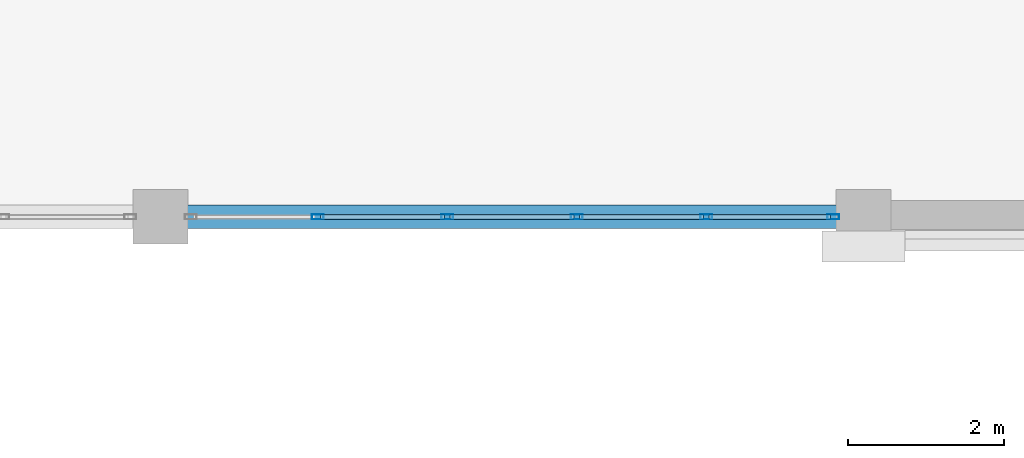
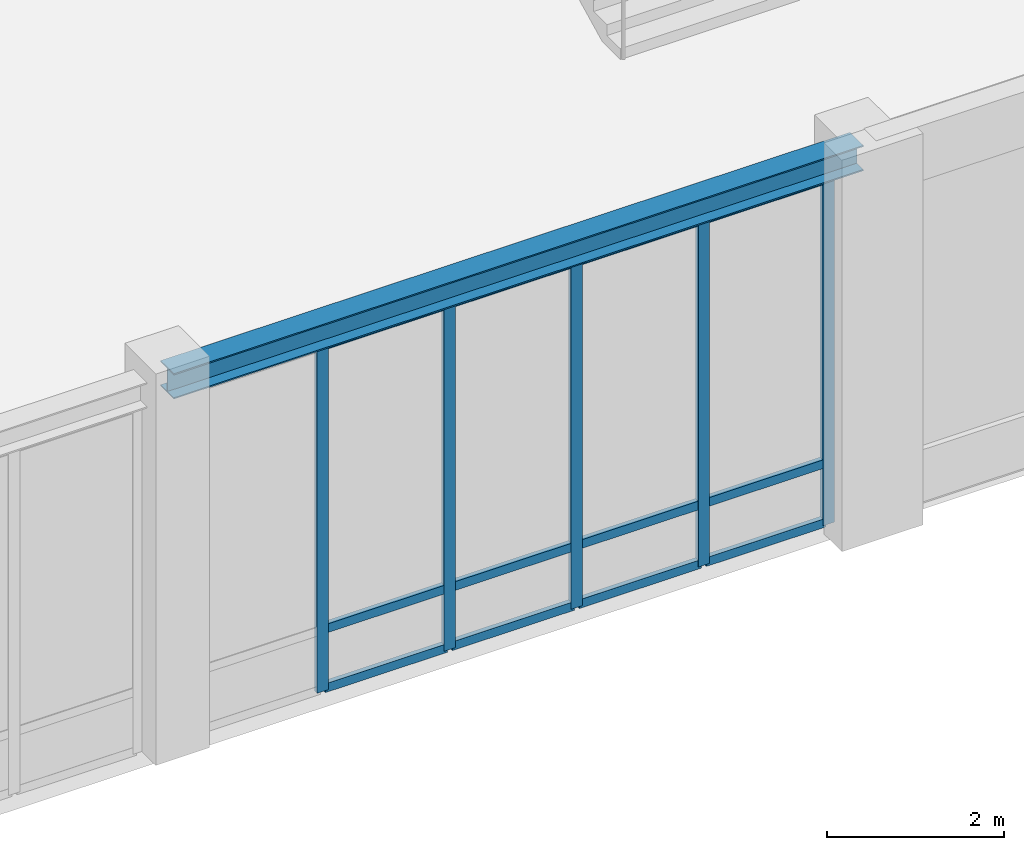
# One storey, part 39 of 77: 17 members, 1 beam, 1 element without a shape of its own.
"""IFC4 building model written with IfcOpenShell, lengths in metres."""

from ifc_helpers import new_model, si_unit, direction, frame, origin, origin_2d, place, context, subcontext, project, spatial, hollow_rectangle, i_section, extrude, material, material_profile, profile_set, type_object, element, aggregate, save


model = new_model("IFC4")

# Units and contexts
model_context = context("Model", 3, precision=1e-05, world=origin(), true_north=direction((0.0, 1.0)))
body_context = subcontext(model_context, "Body", "Model", "MODEL_VIEW")
ifc_project = project(units=[si_unit("LENGTHUNIT", "METRE"), si_unit("AREAUNIT", "SQUARE_METRE"), si_unit("VOLUMEUNIT", "CUBIC_METRE"), si_unit("PLANEANGLEUNIT", "RADIAN"), si_unit("MASSUNIT", "GRAM", prefix="KILO")], contexts=[model_context])

# Site, building, storey
site_placement = place(None, origin())
site = spatial("IfcSite", under=ifc_project, at=site_placement, CompositionType="ELEMENT")
building_placement = place(site_placement, origin())
building = spatial("IfcBuilding", under=site, at=building_placement, Name="Lykobir Media Centre", CompositionType="ELEMENT")
storey_placement = place(building_placement, origin())
storey = spatial("IfcBuildingStorey", under=building, at=storey_placement, Name="L00", CompositionType="ELEMENT", Elevation=0.0)

# Curtain wall, members
ifc_material_1 = material(Name="Anodized Aluminium AW-6060", Category="aluminium")
curtain_wall_type = type_object("IfcCurtainWallType", Name="CW-COURT-A", PredefinedType="NOTDEFINED", material=ifc_material_1)
curtain_wall_placement = place(storey_placement, origin())
curtain_wall = element("IfcCurtainWall", 1, at=curtain_wall_placement, inside=storey, type_object=curtain_wall_type, Name="Curtain wall CW2-L00-0022", PredefinedType="NOTDEFINED")
ifc_material_profile_1 = material_profile(ifc_material_1, hollow_rectangle(XDim=0.06494140625, YDim=0.14990234375, WallThickness=0.00341796875, at=origin_2d()), Name="ALU MULLION 65x150")
ifc_profile_set_1 = profile_set([ifc_material_profile_1], Name="Anodized Aluminium AW-6060")
member_type_1 = type_object("IfcMemberType", Name="CWM-150", PredefinedType="MULLION", material=ifc_profile_set_1)
member_1_placement = place(storey_placement, frame((71.612548828125, 63.0, 0.0), z_axis=(0.0, 0.0, 1.0), x_axis=(0.0, -1.0, 0.0)))
member_1 = element("IfcMember", 2, at=member_1_placement, type_object=member_type_1, Name="CW2-L00-0022 mullion 1", PredefinedType="MULLION", context=body_context, shape_type="SweptSolid", body=[
    extrude(hollow_rectangle(XDim=0.06494140625, YDim=0.14990234375, WallThickness=0.00341796875, at=origin_2d()), origin(), (0.0, 0.0, 1.0), 4.794921875),
])
member_2_placement = place(storey_placement, frame((69.987060546875, 63.0, 0.0), z_axis=(0.0, 0.0, 1.0), x_axis=(0.0, -1.0, 0.0)))
member_2 = element("IfcMember", 3, at=member_2_placement, type_object=member_type_1, Name="CW2-L00-0022 mullion 2", PredefinedType="MULLION", context=body_context, shape_type="SweptSolid", body=[
    extrude(hollow_rectangle(XDim=0.06494140625, YDim=0.14990234375, WallThickness=0.00341796875, at=origin_2d()), origin(), (0.0, 0.0, 1.0), 4.794921875),
])
member_3_placement = place(storey_placement, frame((68.3291015625, 63.0, 0.0), z_axis=(0.0, 0.0, 1.0), x_axis=(0.0, -1.0, 0.0)))
member_3 = element("IfcMember", 4, at=member_3_placement, type_object=member_type_1, Name="CW2-L00-0022 mullion 3", PredefinedType="MULLION", context=body_context, shape_type="SweptSolid", body=[
    extrude(hollow_rectangle(XDim=0.06494140625, YDim=0.14990234375, WallThickness=0.00341796875, at=origin_2d()), origin(), (0.0, 0.0, 1.0), 4.794921875),
])
member_4_placement = place(storey_placement, frame((66.6708984375, 63.0, 0.0), z_axis=(0.0, 0.0, 1.0), x_axis=(0.0, -1.0, 0.0)))
member_4 = element("IfcMember", 5, at=member_4_placement, type_object=member_type_1, Name="CW2-L00-0022 mullion 4", PredefinedType="MULLION", context=body_context, shape_type="SweptSolid", body=[
    extrude(hollow_rectangle(XDim=0.06494140625, YDim=0.14990234375, WallThickness=0.00341796875, at=origin_2d()), origin(), (0.0, 0.0, 1.0), 4.794921875),
])
member_5_placement = place(storey_placement, frame((65.012939453125, 63.0, 0.0), z_axis=(0.0, 0.0, 1.0), x_axis=(0.0, -1.0, 0.0)))
member_5 = element("IfcMember", 6, at=member_5_placement, type_object=member_type_1, Name="CW2-L00-0022 mullion 5", PredefinedType="MULLION", context=body_context, shape_type="SweptSolid", body=[
    extrude(hollow_rectangle(XDim=0.06494140625, YDim=0.14990234375, WallThickness=0.00341796875, at=origin_2d()), origin(), (0.0, 0.0, 1.0), 4.794921875),
])
ifc_material_profile_2 = material_profile(ifc_material_1, hollow_rectangle(XDim=0.06494140625, YDim=0.1201171875, WallThickness=0.0029296875, at=origin_2d()), Name="ALU TRANSOM 65x120")
ifc_profile_set_2 = profile_set([ifc_material_profile_2], Name="Anodized Aluminium AW-6060")
member_type_2 = type_object("IfcMemberType", Name="CWT-120", PredefinedType="USERDEFINED", material=ifc_profile_set_2)
member_6_placement = place(storey_placement, frame((71.580078125, 63.0, 0.032470703125), z_axis=(-1.0, 0.0, 0.0), x_axis=(0.0, -1.0, 0.0)))
member_6 = element("IfcMember", 7, at=member_6_placement, type_object=member_type_2, Name="CW2-L00-0022 transom 1.1", ObjectType="TRANSOM", PredefinedType="USERDEFINED", context=body_context, shape_type="SweptSolid", body=[
    extrude(hollow_rectangle(XDim=0.06494140625, YDim=0.1201171875, WallThickness=0.0029296875, at=origin_2d()), origin(), (0.0, 0.0, 1.0), 1.560546875),
])
member_7_placement = place(storey_placement, frame((71.580078125, 63.0, 0.85009765625), z_axis=(-1.0, 0.0, 0.0), x_axis=(0.0, -1.0, 0.0)))
member_7 = element("IfcMember", 8, at=member_7_placement, type_object=member_type_2, Name="CW2-L00-0022 transom 1.2", ObjectType="TRANSOM", PredefinedType="USERDEFINED", context=body_context, shape_type="SweptSolid", body=[
    extrude(hollow_rectangle(XDim=0.06494140625, YDim=0.1201171875, WallThickness=0.0029296875, at=origin_2d()), origin(), (0.0, 0.0, 1.0), 1.560546875),
])
member_8_placement = place(storey_placement, frame((71.580078125, 63.0, 4.762451171875), z_axis=(-1.0, 0.0, 0.0), x_axis=(0.0, -1.0, 0.0)))
member_8 = element("IfcMember", 9, at=member_8_placement, type_object=member_type_2, Name="CW2-L00-0022 transom 1.3", ObjectType="TRANSOM", PredefinedType="USERDEFINED", context=body_context, shape_type="SweptSolid", body=[
    extrude(hollow_rectangle(XDim=0.06494140625, YDim=0.1201171875, WallThickness=0.0029296875, at=origin_2d()), origin(), (0.0, 0.0, 1.0), 1.560546875),
])
member_9_placement = place(storey_placement, frame((69.95458984375, 63.0, 0.032470703125), z_axis=(-1.0, 0.0, 0.0), x_axis=(0.0, -1.0, 0.0)))
member_9 = element("IfcMember", 10, at=member_9_placement, type_object=member_type_2, Name="CW2-L00-0022 transom 2.1", ObjectType="TRANSOM", PredefinedType="USERDEFINED", context=body_context, shape_type="SweptSolid", body=[
    extrude(hollow_rectangle(XDim=0.06494140625, YDim=0.1201171875, WallThickness=0.0029296875, at=origin_2d()), origin(), (0.0, 0.0, 1.0), 1.593017578125),
])
member_10_placement = place(storey_placement, frame((69.95458984375, 63.0, 0.85009765625), z_axis=(-1.0, 0.0, 0.0), x_axis=(0.0, -1.0, 0.0)))
member_10 = element("IfcMember", 11, at=member_10_placement, type_object=member_type_2, Name="CW2-L00-0022 transom 2.2", ObjectType="TRANSOM", PredefinedType="USERDEFINED", context=body_context, shape_type="SweptSolid", body=[
    extrude(hollow_rectangle(XDim=0.06494140625, YDim=0.1201171875, WallThickness=0.0029296875, at=origin_2d()), origin(), (0.0, 0.0, 1.0), 1.593017578125),
])
member_11_placement = place(storey_placement, frame((69.95458984375, 63.0, 4.762451171875), z_axis=(-1.0, 0.0, 0.0), x_axis=(0.0, -1.0, 0.0)))
member_11 = element("IfcMember", 12, at=member_11_placement, type_object=member_type_2, Name="CW2-L00-0022 transom 2.3", ObjectType="TRANSOM", PredefinedType="USERDEFINED", context=body_context, shape_type="SweptSolid", body=[
    extrude(hollow_rectangle(XDim=0.06494140625, YDim=0.1201171875, WallThickness=0.0029296875, at=origin_2d()), origin(), (0.0, 0.0, 1.0), 1.593017578125),
])
member_12_placement = place(storey_placement, frame((68.29638671875, 63.0, 0.032470703125), z_axis=(-1.0, 0.0, 0.0), x_axis=(0.0, -1.0, 0.0)))
member_12 = element("IfcMember", 13, at=member_12_placement, type_object=member_type_2, Name="CW2-L00-0022 transom 3.1", ObjectType="TRANSOM", PredefinedType="USERDEFINED", context=body_context, shape_type="SweptSolid", body=[
    extrude(hollow_rectangle(XDim=0.06494140625, YDim=0.1201171875, WallThickness=0.0029296875, at=origin_2d()), origin(), (0.0, 0.0, 1.0), 1.5927734375),
])
member_13_placement = place(storey_placement, frame((68.29638671875, 63.0, 0.85009765625), z_axis=(-1.0, 0.0, 0.0), x_axis=(0.0, -1.0, 0.0)))
member_13 = element("IfcMember", 14, at=member_13_placement, type_object=member_type_2, Name="CW2-L00-0022 transom 3.2", ObjectType="TRANSOM", PredefinedType="USERDEFINED", context=body_context, shape_type="SweptSolid", body=[
    extrude(hollow_rectangle(XDim=0.06494140625, YDim=0.1201171875, WallThickness=0.0029296875, at=origin_2d()), origin(), (0.0, 0.0, 1.0), 1.5927734375),
])
member_14_placement = place(storey_placement, frame((68.29638671875, 63.0, 4.762451171875), z_axis=(-1.0, 0.0, 0.0), x_axis=(0.0, -1.0, 0.0)))
member_14 = element("IfcMember", 15, at=member_14_placement, type_object=member_type_2, Name="CW2-L00-0022 transom 3.3", ObjectType="TRANSOM", PredefinedType="USERDEFINED", context=body_context, shape_type="SweptSolid", body=[
    extrude(hollow_rectangle(XDim=0.06494140625, YDim=0.1201171875, WallThickness=0.0029296875, at=origin_2d()), origin(), (0.0, 0.0, 1.0), 1.5927734375),
])
member_15_placement = place(storey_placement, frame((66.638427734375, 63.0, 0.032470703125), z_axis=(-1.0, 0.0, 0.0), x_axis=(0.0, -1.0, 0.0)))
member_15 = element("IfcMember", 16, at=member_15_placement, type_object=member_type_2, Name="CW2-L00-0022 transom 4.1", ObjectType="TRANSOM", PredefinedType="USERDEFINED", context=body_context, shape_type="SweptSolid", body=[
    extrude(hollow_rectangle(XDim=0.06494140625, YDim=0.1201171875, WallThickness=0.0029296875, at=origin_2d()), origin(), (0.0, 0.0, 1.0), 1.593017578125),
])
member_16_placement = place(storey_placement, frame((66.638427734375, 63.0, 0.85009765625), z_axis=(-1.0, 0.0, 0.0), x_axis=(0.0, -1.0, 0.0)))
member_16 = element("IfcMember", 17, at=member_16_placement, type_object=member_type_2, Name="CW2-L00-0022 transom 4.2", ObjectType="TRANSOM", PredefinedType="USERDEFINED", context=body_context, shape_type="SweptSolid", body=[
    extrude(hollow_rectangle(XDim=0.06494140625, YDim=0.1201171875, WallThickness=0.0029296875, at=origin_2d()), origin(), (0.0, 0.0, 1.0), 1.593017578125),
])
member_17_placement = place(storey_placement, frame((66.638427734375, 63.0, 4.762451171875), z_axis=(-1.0, 0.0, 0.0), x_axis=(0.0, -1.0, 0.0)))
member_17 = element("IfcMember", 18, at=member_17_placement, type_object=member_type_2, Name="CW2-L00-0022 transom 4.3", ObjectType="TRANSOM", PredefinedType="USERDEFINED", context=body_context, shape_type="SweptSolid", body=[
    extrude(hollow_rectangle(XDim=0.06494140625, YDim=0.1201171875, WallThickness=0.0029296875, at=origin_2d()), origin(), (0.0, 0.0, 1.0), 1.593017578125),
])
aggregate(curtain_wall, [member_1, member_2, member_3, member_4, member_5, member_6, member_7, member_8, member_9, member_10, member_11, member_12, member_13, member_14, member_15, member_16, member_17])

# Beam
ifc_material_2 = material(Name="Steel S355", Category="steel")
ifc_material_profile_3 = material_profile(ifc_material_2, i_section(OverallWidth=0.300048828125, OverallDepth=0.35009765625, WebThickness=0.010009765625, FlangeThickness=0.017578125, at=origin_2d()), Name="HEA 360")
ifc_profile_set_3 = profile_set([ifc_material_profile_3], Name="Steel S355")
beam_type = type_object("IfcBeamType", Name="SP-HEA360", PredefinedType="SPANDREL", material=ifc_profile_set_3)
beam_placement = place(storey_placement, frame((63.0, 63.0, 4.985107421875), z_axis=(1.0, 0.0, 0.0), x_axis=(0.0, 1.0, 0.0)))
element("IfcBeam", 19, at=beam_placement, inside=storey, type_object=beam_type, Name="Beam BM-L00-0630-0630-0720-0630-499", PredefinedType="SPANDREL", context=body_context, shape_type="SweptSolid", body=[
    extrude(i_section(OverallWidth=0.300048828125, OverallDepth=0.35009765625, WebThickness=0.010009765625, FlangeThickness=0.017578125, at=origin_2d()), origin(), (0.0, 0.0, 1.0), 9.0),
])

save(model, "model.ifc")
